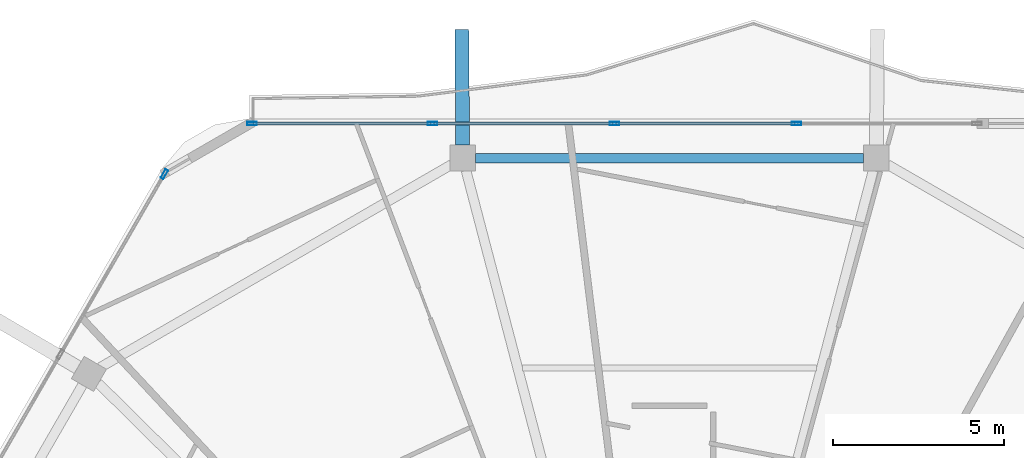
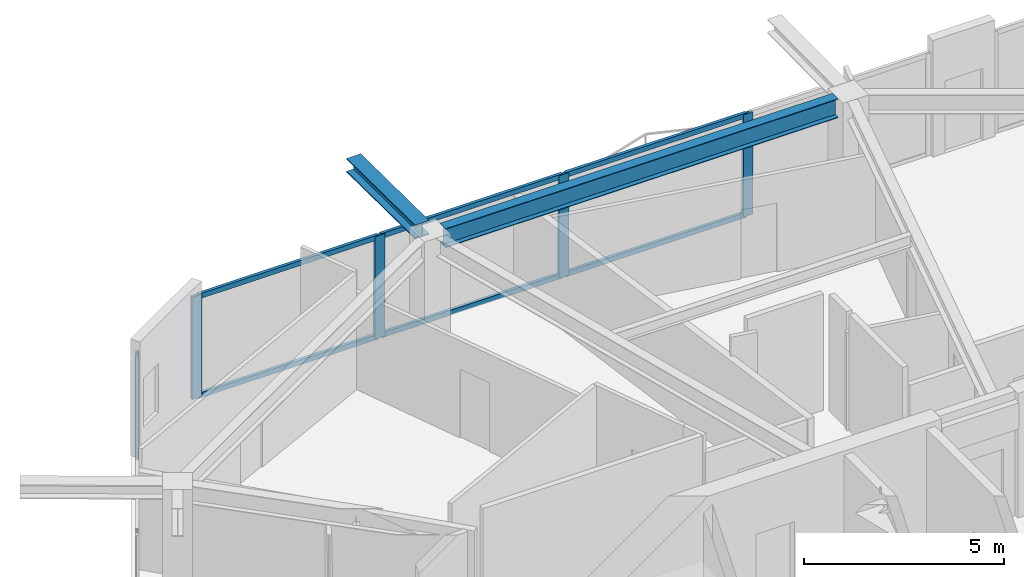
# One storey, part 10 of 21: 11 members, 2 beams, 2 elements without a shape of their own.
"""IFC4 building model written with IfcOpenShell, lengths in metres."""

from ifc_helpers import new_model, si_unit, direction, frame, origin, origin_2d, place, context, subcontext, project, spatial, hollow_rectangle, i_section, extrude, material, material_profile, profile_set, type_object, element, aggregate, save


model = new_model("IFC4")

# Units and contexts
model_context = context("Model", 3, precision=1e-05, world=origin(), true_north=direction((0.0, 1.0)))
body_context = subcontext(model_context, "Body", "Model", "MODEL_VIEW")
ifc_project = project(units=[si_unit("LENGTHUNIT", "METRE"), si_unit("AREAUNIT", "SQUARE_METRE"), si_unit("VOLUMEUNIT", "CUBIC_METRE"), si_unit("PLANEANGLEUNIT", "RADIAN"), si_unit("MASSUNIT", "GRAM", prefix="KILO")], contexts=[model_context])

# Site, building, storey
site_placement = place(None, origin())
site = spatial("IfcSite", under=ifc_project, at=site_placement, CompositionType="ELEMENT")
building_placement = place(site_placement, origin())
building = spatial("IfcBuilding", under=site, at=building_placement, Name="Zuhravey Tower", CompositionType="ELEMENT")
storey_placement = place(building_placement, frame((0.0, 0.0, 334.800048828125)))
storey = spatial("IfcBuildingStorey", under=building, at=storey_placement, Name="L85", CompositionType="ELEMENT", Elevation=334.800048828125)

# Curtain wall, member
ifc_material_1 = material(Name="Thermally broken anodised aluminium", Category="aluminium")
curtain_wall_type = type_object("IfcCurtainWallType", Name="Zone 3-4 High-Rise Curtain Wall CW4", PredefinedType="NOTDEFINED", material=ifc_material_1)
curtain_wall_1_placement = place(storey_placement, origin())
curtain_wall_1 = element("IfcCurtainWall", 1, at=curtain_wall_1_placement, inside=storey, type_object=curtain_wall_type, Name="L85 CW4 CW-L85-F3-1", PredefinedType="NOTDEFINED")
ifc_material_2 = material(Name="Anodised aluminium", Category="aluminium")
ifc_material_profile_1 = material_profile(ifc_material_2, hollow_rectangle(XDim=0.090087890625, YDim=0.284912109375, WallThickness=0.0048828125, at=origin_2d()), Name="ALU-RHS-90x285x5")
ifc_profile_set_1 = profile_set([ifc_material_profile_1], Name="Anodised aluminium")
member_type_1 = type_object("IfcMemberType", Name="Curtain-Wall Mullion 90x180", PredefinedType="MULLION", material=ifc_profile_set_1)
member_1_placement = place(storey_placement, frame((21.248291015625, 54.59765625, 0.0), z_axis=(0.0, 0.0, 1.0), x_axis=(-0.866025511541, 0.49999981336, 0.0)))
member_1 = element("IfcMember", 2, at=member_1_placement, type_object=member_type_1, Name="CW4 mullion 5", PredefinedType="MULLION", context=body_context, shape_type="SweptSolid", body=[
    extrude(hollow_rectangle(XDim=0.090087890625, YDim=0.284912109375, WallThickness=0.0048828125, at=origin_2d()), origin(), (0.0, 0.0, 1.0), 3.1220703125),
])
aggregate(curtain_wall_1, [member_1])

# Curtain wall, members
curtain_wall_2_placement = place(storey_placement, origin())
curtain_wall_2 = element("IfcCurtainWall", 3, at=curtain_wall_2_placement, inside=storey, type_object=curtain_wall_type, Name="L85 CW4 CW-L85-F2-1", PredefinedType="NOTDEFINED")
member_2_placement = place(storey_placement, frame((23.8056640625, 56.07421875, 0.0), z_axis=(0.0, 0.0, 1.0), x_axis=(0.0, 1.0, 0.0)))
member_2 = element("IfcMember", 4, at=member_2_placement, type_object=member_type_1, Name="CW4 mullion 1", PredefinedType="MULLION", context=body_context, shape_type="SweptSolid", body=[
    extrude(hollow_rectangle(XDim=0.090087890625, YDim=0.284912109375, WallThickness=0.0048828125, at=origin_2d()), origin(), (0.0, 0.0, 1.0), 3.1220703125),
])
member_3_placement = place(storey_placement, frame((29.075439453125, 56.07421875, 0.0), z_axis=(0.0, 0.0, 1.0), x_axis=(0.0, 1.0, 0.0)))
member_3 = element("IfcMember", 5, at=member_3_placement, type_object=member_type_1, Name="CW4 mullion 2", PredefinedType="MULLION", context=body_context, shape_type="SweptSolid", body=[
    extrude(hollow_rectangle(XDim=0.090087890625, YDim=0.284912109375, WallThickness=0.0048828125, at=origin_2d()), origin(), (0.0, 0.0, 1.0), 3.1220703125),
])
member_4_placement = place(storey_placement, frame((34.39013671875, 56.07421875, 0.0), z_axis=(0.0, 0.0, 1.0), x_axis=(0.0, 1.0, 0.0)))
member_4 = element("IfcMember", 6, at=member_4_placement, type_object=member_type_1, Name="CW4 mullion 3", PredefinedType="MULLION", context=body_context, shape_type="SweptSolid", body=[
    extrude(hollow_rectangle(XDim=0.090087890625, YDim=0.284912109375, WallThickness=0.0048828125, at=origin_2d()), origin(), (0.0, 0.0, 1.0), 3.1220703125),
])
member_5_placement = place(storey_placement, frame((39.704833984375, 56.07421875, 0.0), z_axis=(0.0, 0.0, 1.0), x_axis=(0.0, 1.0, 0.0)))
member_5 = element("IfcMember", 7, at=member_5_placement, type_object=member_type_1, Name="CW4 mullion 4", PredefinedType="MULLION", context=body_context, shape_type="SweptSolid", body=[
    extrude(hollow_rectangle(XDim=0.090087890625, YDim=0.284912109375, WallThickness=0.0048828125, at=origin_2d()), origin(), (0.0, 0.0, 1.0), 3.1220703125),
])
ifc_material_profile_2 = material_profile(ifc_material_2, hollow_rectangle(XDim=0.090087890625, YDim=0.14990234375, WallThickness=0.0048828125, at=origin_2d()), Name="ALU-RHS-90x150x5")
ifc_profile_set_2 = profile_set([ifc_material_profile_2], Name="Anodised aluminium")
member_type_2 = type_object("IfcMemberType", Name="Curtain-Wall Transom 90x150", PredefinedType="USERDEFINED", material=ifc_profile_set_2)
member_6_placement = place(storey_placement, frame((23.8505859375, 56.07421875, 0.044921875), z_axis=(1.0, 0.0, 0.0), x_axis=(0.0, 1.0, 0.0)))
member_6 = element("IfcMember", 8, at=member_6_placement, type_object=member_type_2, Name="CW4 transom 1.1", ObjectType="TRANSOM", PredefinedType="USERDEFINED", context=body_context, shape_type="SweptSolid", body=[
    extrude(hollow_rectangle(XDim=0.090087890625, YDim=0.14990234375, WallThickness=0.0048828125, at=origin_2d()), origin(), (0.0, 0.0, 1.0), 5.179931640625),
])
member_7_placement = place(storey_placement, frame((23.8505859375, 56.07421875, 3.076904296875), z_axis=(1.0, 0.0, 0.0), x_axis=(0.0, 1.0, 0.0)))
member_7 = element("IfcMember", 9, at=member_7_placement, type_object=member_type_2, Name="CW4 transom 1.2", ObjectType="TRANSOM", PredefinedType="USERDEFINED", context=body_context, shape_type="SweptSolid", body=[
    extrude(hollow_rectangle(XDim=0.090087890625, YDim=0.14990234375, WallThickness=0.0048828125, at=origin_2d()), origin(), (0.0, 0.0, 1.0), 5.179931640625),
])
member_8_placement = place(storey_placement, frame((29.120361328125, 56.07421875, 0.044921875), z_axis=(1.0, 0.0, 0.0), x_axis=(0.0, 1.0, 0.0)))
member_8 = element("IfcMember", 10, at=member_8_placement, type_object=member_type_2, Name="CW4 transom 2.1", ObjectType="TRANSOM", PredefinedType="USERDEFINED", context=body_context, shape_type="SweptSolid", body=[
    extrude(hollow_rectangle(XDim=0.090087890625, YDim=0.14990234375, WallThickness=0.0048828125, at=origin_2d()), origin(), (0.0, 0.0, 1.0), 5.224853515625),
])
member_9_placement = place(storey_placement, frame((29.120361328125, 56.07421875, 3.076904296875), z_axis=(1.0, 0.0, 0.0), x_axis=(0.0, 1.0, 0.0)))
member_9 = element("IfcMember", 11, at=member_9_placement, type_object=member_type_2, Name="CW4 transom 2.2", ObjectType="TRANSOM", PredefinedType="USERDEFINED", context=body_context, shape_type="SweptSolid", body=[
    extrude(hollow_rectangle(XDim=0.090087890625, YDim=0.14990234375, WallThickness=0.0048828125, at=origin_2d()), origin(), (0.0, 0.0, 1.0), 5.224853515625),
])
member_10_placement = place(storey_placement, frame((34.43505859375, 56.07421875, 0.044921875), z_axis=(1.0, 0.0, 0.0), x_axis=(0.0, 1.0, 0.0)))
member_10 = element("IfcMember", 12, at=member_10_placement, type_object=member_type_2, Name="CW4 transom 3.1", ObjectType="TRANSOM", PredefinedType="USERDEFINED", context=body_context, shape_type="SweptSolid", body=[
    extrude(hollow_rectangle(XDim=0.090087890625, YDim=0.14990234375, WallThickness=0.0048828125, at=origin_2d()), origin(), (0.0, 0.0, 1.0), 5.224853515625),
])
member_11_placement = place(storey_placement, frame((34.43505859375, 56.07421875, 3.076904296875), z_axis=(1.0, 0.0, 0.0), x_axis=(0.0, 1.0, 0.0)))
member_11 = element("IfcMember", 13, at=member_11_placement, type_object=member_type_2, Name="CW4 transom 3.2", ObjectType="TRANSOM", PredefinedType="USERDEFINED", context=body_context, shape_type="SweptSolid", body=[
    extrude(hollow_rectangle(XDim=0.090087890625, YDim=0.14990234375, WallThickness=0.0048828125, at=origin_2d()), origin(), (0.0, 0.0, 1.0), 5.224853515625),
])
aggregate(curtain_wall_2, [member_2, member_3, member_4, member_5, member_6, member_7, member_8, member_9, member_10, member_11])

# Beams
ifc_material_3 = material(Name="Steel SM460", Category="steel")
ifc_material_profile_3 = material_profile(ifc_material_3, i_section(OverallWidth=0.406982421875, OverallDepth=0.427978515625, WebThickness=0.02001953125, FlangeThickness=0.034912109375, at=origin_2d()), Name="H-428x407x20x35")
ifc_profile_set_3 = profile_set([ifc_material_profile_3], Name="Steel SM460")
beam_type_1 = type_object("IfcBeamType", Name="Exoskeleton Node Tie Beam H428x407", PredefinedType="BEAM", material=ifc_profile_set_3)
beam_1_placement = place(storey_placement, frame((29.95849609375, 55.443115234375, 3.3359375), z_axis=(-0.007665380805, 0.999970620537, 0.0), x_axis=(-0.999970620537, -0.007665380805, 0.0)))
element("IfcBeam", 14, at=beam_1_placement, inside=storey, type_object=beam_type_1, Name="L85 Exoskeleton Node Tie NT1-04", PredefinedType="BEAM", context=body_context, shape_type="SweptSolid", body=[
    extrude(i_section(OverallWidth=0.406982421875, OverallDepth=0.427978515625, WebThickness=0.02001953125, FlangeThickness=0.034912109375, at=origin_2d()), origin(), (0.0, 0.0, 1.0), 3.3759765625),
])
ifc_material_4 = material(Name="Steel SM355", Category="steel")
ifc_material_profile_4 = material_profile(ifc_material_4, i_section(OverallWidth=0.280029296875, OverallDepth=0.580078125, WebThickness=0.011962890625, FlangeThickness=0.01904296875, at=origin_2d()), Name="H-580x280x12x19")
ifc_profile_set_4 = profile_set([ifc_material_profile_4], Name="Steel SM355")
beam_type_2 = type_object("IfcBeamType", Name="Perimeter Ring Beam H580x280", PredefinedType="BEAM", material=ifc_profile_set_4)
beam_2_placement = place(storey_placement, frame((41.66064453125, 55.064208984375, 3.260009765625), z_axis=(-1.0, 0.0, 0.0), x_axis=(0.0, -1.0, 0.0)))
element("IfcBeam", 15, at=beam_2_placement, inside=storey, type_object=beam_type_2, Name="L85 PB4 BM-L85-PB-03", PredefinedType="BEAM", context=body_context, shape_type="SweptSolid", body=[
    extrude(i_section(OverallWidth=0.280029296875, OverallDepth=0.580078125, WebThickness=0.011962890625, FlangeThickness=0.01904296875, at=origin_2d()), origin(), (0.0, 0.0, 1.0), 11.3212890625),
])

save(model, "model.ifc")
